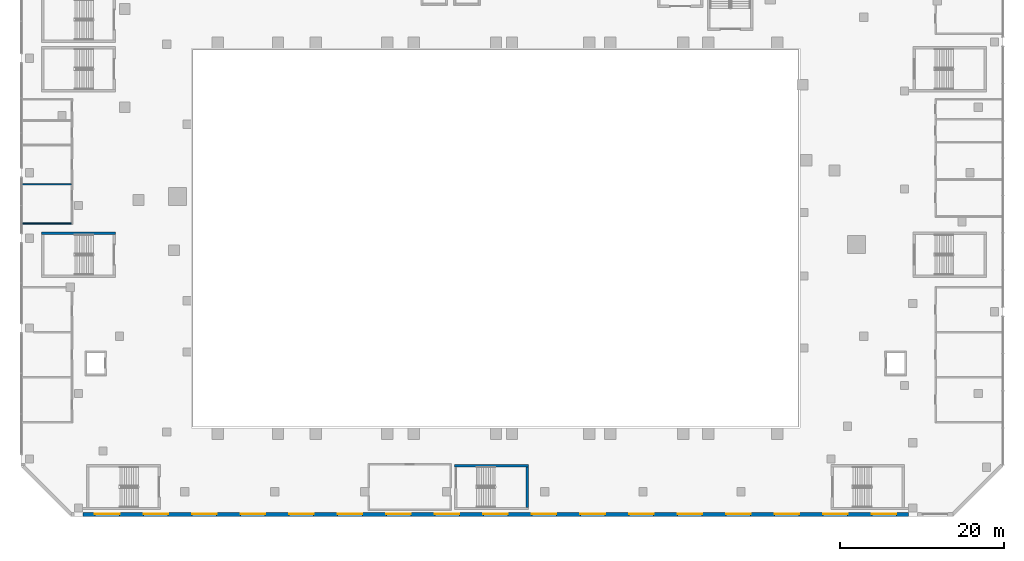
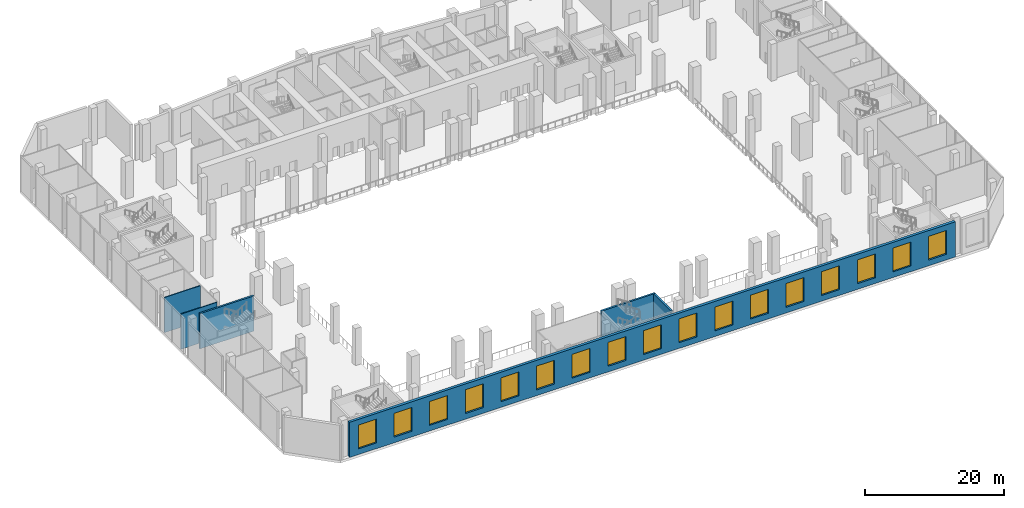
# One storey, part 11 of 30: 17 windows, 6 walls, 17 openings.
"""IFC4 building model written with IfcOpenShell, lengths in metres."""

import ifcopenshell
import ifcopenshell.guid

model = None  # the IFC model being written
_history = None  # IfcOwnerHistory: only IFC2X3 demands one
_inside = {}  # id of a spatial element -> (the spatial element, [elements in it])
_under = {}  # id of a project, library or spatial element -> (it, [spatial elements below it])
_declared = {}  # id of a project -> (the project, [libraries it declares])
_typed = {}  # id of a type object -> (the type object, [elements of that type])
_made_of = {}  # id of a material, layer set ... -> (it, [elements and type objects made of it])


def new_model(schema):
    """Start an empty IFC model of exactly this schema.

    Asked for "IFC4X3", IfcOpenShell would pick the latest addendum, in which some entities
    have other attributes; the version numbers below select the first issue.
    IFC2X3 requires an IfcOwnerHistory on every rooted entity: one is made here for all.
    """
    global model, _history
    if schema == "IFC4X3":
        model = ifcopenshell.file(schema_version=(4, 3, 0, 0))
    else:
        model = ifcopenshell.file(schema=schema)
    _inside.clear()
    _under.clear()
    _declared.clear()
    _typed.clear()
    _made_of.clear()
    _history = None
    if model.schema == "IFC2X3":
        org = make("IfcOrganization", Name="unknown")
        user = make(
            "IfcPersonAndOrganization",
            ThePerson=make("IfcPerson", FamilyName="unknown"),
            TheOrganization=org,
        )
        app = make(
            "IfcApplication",
            ApplicationDeveloper=org,
            Version="unknown",
            ApplicationFullName="unknown",
            ApplicationIdentifier="unknown",
        )
        _history = make(
            "IfcOwnerHistory",
            OwningUser=user,
            OwningApplication=app,
            ChangeAction="ADDED",
            CreationDate=0,
        )
    return model


def make(cls, **values):
    """One entity of the class cls with the attributes given. An attribute that is None is left unset."""
    return model.create_entity(
        cls, **{name: value for name, value in values.items() if value is not None}
    )


def rooted(cls, **values):
    """An entity with a GlobalId (a new one), such as an element, a storey or a relation."""
    return make(cls, GlobalId=ifcopenshell.guid.new(), OwnerHistory=_history, **values)


def si_unit(unit_type, name, prefix=None):
    """IfcSIUnit, for example si_unit("LENGTHUNIT", "METRE", prefix="MILLI")."""
    return make("IfcSIUnit", UnitType=unit_type, Prefix=prefix, Name=name)


def assignment(units):
    """IfcUnitAssignment: the units of a project."""
    return None if units is None else make("IfcUnitAssignment", Units=units)


def point(xyz):
    """IfcCartesianPoint."""
    return None if xyz is None else make("IfcCartesianPoint", Coordinates=xyz)


def direction(xyz):
    """IfcDirection."""
    return None if xyz is None else make("IfcDirection", DirectionRatios=xyz)


def frame(location, z_axis=None, x_axis=None):
    """IfcAxis2Placement3D, a coordinate frame: its origin and axes. An axis left out is left unset."""
    return make(
        "IfcAxis2Placement3D",
        Location=point(location),
        Axis=direction(z_axis),
        RefDirection=direction(x_axis),
    )


def frame_2d(location, x_axis=None):
    """IfcAxis2Placement2D, a coordinate frame in the plane: its origin and x axis."""
    return make(
        "IfcAxis2Placement2D", Location=point(location), RefDirection=direction(x_axis)
    )


def origin():
    """The frame at (0, 0, 0) with its axes left unset."""
    return frame((0.0, 0.0, 0.0))


def place(relative_to, where):
    """IfcLocalPlacement: puts the frame where relative to a parent placement (None: the world)."""
    return make(
        "IfcLocalPlacement", PlacementRelTo=relative_to, RelativePlacement=where
    )


def context(
    kind, dimensions, precision=None, world=None, true_north=None, identifier=None
):
    """IfcGeometricRepresentationContext, for example the 3D "Model" context."""
    return make(
        "IfcGeometricRepresentationContext",
        ContextIdentifier=identifier,
        ContextType=kind,
        CoordinateSpaceDimension=dimensions,
        Precision=precision,
        WorldCoordinateSystem=world,
        TrueNorth=true_north,
    )


def subcontext(parent, identifier, kind, view, scale=None):
    """IfcGeometricRepresentationSubContext, for example "Body" below "Model"."""
    return make(
        "IfcGeometricRepresentationSubContext",
        ContextIdentifier=identifier,
        ContextType=kind,
        ParentContext=parent,
        TargetScale=scale,
        TargetView=view,
    )


def project(units=None, contexts=None):
    """IfcProject with its units and contexts."""
    return rooted(
        "IfcProject",
        Name="project",
        RepresentationContexts=contexts,
        UnitsInContext=assignment(units),
    )


def spatial(cls, under=None, at=None, **own):
    """A site, building, storey or space (cls), placed at a placement, below another one or the project."""
    s = rooted(cls, ObjectPlacement=at, **own)
    if under is not None:
        _under.setdefault(under.id(), (under, []))[1].append(s)
    return s


def profile(cls, at=None, kind="AREA", **sizes):
    """A parametric profile (cls). Its sizes go by their IFC names, for example OverallWidth=200.0."""
    return make(cls, ProfileType=kind, Position=at, **sizes)


def rectangle(**sizes):
    """IfcRectangleProfileDef."""
    return profile("IfcRectangleProfileDef", **sizes)


def extrude(swept, where, along, depth):
    """IfcExtrudedAreaSolid: the profile swept, set in the frame where, extruded along a direction by depth."""
    return make(
        "IfcExtrudedAreaSolid",
        SweptArea=swept,
        Position=where,
        ExtrudedDirection=direction(along),
        Depth=depth,
    )


def shape(context_of_items, identifier, shape_type, items):
    """IfcShapeRepresentation: the items that make up one representation, for example the "Body"."""
    return make(
        "IfcShapeRepresentation",
        ContextOfItems=context_of_items,
        RepresentationIdentifier=identifier,
        RepresentationType=shape_type,
        Items=items,
    )


def material(Name=None, Category=None):
    """IfcMaterial."""
    return make("IfcMaterial", Name=Name, Category=Category)


def layer(
    of_material, thickness, ventilated=None, Name=None, Category=None, Priority=None
):
    """IfcMaterialLayer: one layer of a wall or slab, of a material (None: an air gap)."""
    return make(
        "IfcMaterialLayer",
        Material=of_material,
        LayerThickness=thickness,
        IsVentilated=ventilated,
        Name=Name,
        Category=Category,
        Priority=Priority,
    )


def layer_set(layers, Name=None):
    """IfcMaterialLayerSet."""
    return make("IfcMaterialLayerSet", MaterialLayers=layers, LayerSetName=Name)


def made_of(thing, what):
    """Note that an element or type object is made of a material, layer set ...; save() writes the relation."""
    if what is not None:
        _made_of.setdefault(what.id(), (what, []))[1].append(thing)
    return thing


def type_object(cls, material=None, **own):
    """A type object (cls), such as IfcWallType, which elements share."""
    return made_of(rooted(cls, **own), material)


def element(
    cls,
    number,
    at=None,
    inside=None,
    cuts=None,
    type_object=None,
    material=None,
    context=None,
    identifier="Body",
    shape_type=None,
    held_by="IfcProductDefinitionShape",
    body=None,
    shapes=None,
    **own,
):
    """One element of the class cls, such as IfcWall. Its Tag is "e" and its number.

    at: its placement. inside: the storey or other place that contains it. cuts: it is an
    opening in that element (IfcRelVoidsElement). A single representation is given by context,
    identifier, shape_type and body (its items); several are given by shapes. held_by: the class
    of the entity that holds the representations. save() writes the other relations.
    """
    e = rooted(cls, Tag="e%d" % number, ObjectPlacement=at, **own)
    if body is not None:
        shapes = [shape(context, identifier, shape_type, body)]
    if shapes is not None:
        e.Representation = make(held_by, Representations=shapes)
    if inside is not None:
        _inside.setdefault(inside.id(), (inside, []))[1].append(e)
    if cuts is not None:
        rooted(
            "IfcRelVoidsElement", RelatingBuildingElement=cuts, RelatedOpeningElement=e
        )
    if type_object is not None:
        _typed.setdefault(type_object.id(), (type_object, []))[1].append(e)
    return made_of(e, material)


def fill(opening, filler):
    """IfcRelFillsElement: the door or window that sits in an opening."""
    return rooted(
        "IfcRelFillsElement",
        RelatingOpeningElement=opening,
        RelatedBuildingElement=filler,
    )


def aggregate(whole, parts):
    """IfcRelAggregates: a whole, such as a stair, and the parts it consists of."""
    return rooted("IfcRelAggregates", RelatingObject=whole, RelatedObjects=parts)


def save(model, path):
    """Write the relations noted so far, then the file.

    IfcRelAggregates (storeys below a building ...), IfcRelContainedInSpatialStructure (elements
    in a storey), IfcRelDefinesByType, IfcRelAssociatesMaterial and IfcRelDeclares: one each for
    every whole, place, type object, material and project.
    """
    for whole, parts in _under.values():
        aggregate(whole, parts)
    for where, things in _inside.values():
        rooted(
            "IfcRelContainedInSpatialStructure",
            RelatedElements=things,
            RelatingStructure=where,
        )
    for kind, things in _typed.values():
        rooted("IfcRelDefinesByType", RelatedObjects=things, RelatingType=kind)
    for what, things in _made_of.values():
        rooted("IfcRelAssociatesMaterial", RelatedObjects=things, RelatingMaterial=what)
    for by, libraries in _declared.values():
        rooted("IfcRelDeclares", RelatingContext=by, RelatedDefinitions=libraries)
    model.write(path)


model = new_model("IFC4")

# Units and contexts
model_context = context("Model", 3, precision=1e-05, world=origin(), true_north=direction((0.0, 1.0)))
body_context = subcontext(model_context, "Body", "Model", "MODEL_VIEW")
ifc_project = project(units=[si_unit("LENGTHUNIT", "METRE"), si_unit("AREAUNIT", "SQUARE_METRE"), si_unit("VOLUMEUNIT", "CUBIC_METRE"), si_unit("PLANEANGLEUNIT", "RADIAN"), si_unit("MASSUNIT", "GRAM", prefix="KILO")], contexts=[model_context])

# Site, building, storey
site_placement = place(None, origin())
site = spatial("IfcSite", under=ifc_project, at=site_placement, CompositionType="ELEMENT")
building_placement = place(site_placement, origin())
building = spatial("IfcBuilding", under=site, at=building_placement, Name="Wharfspan Tower", CompositionType="ELEMENT")
storey_placement = place(building_placement, frame((0.0, 0.0, 15.0)))
storey = spatial("IfcBuildingStorey", under=building, at=storey_placement, Name="L02", CompositionType="ELEMENT", Elevation=15.0)

# Walls
ifc_material_1 = material(Name="Calcium silicate masonry", Category="masonry")
ifc_layer_1 = layer(ifc_material_1, 0.149902)
ifc_layer_set_1 = layer_set([ifc_layer_1], Name="Calcium silicate masonry")
wall_type_1 = type_object("IfcWallType", Name="Podium room wall 150", PredefinedType="PARTITIONING", material=ifc_layer_set_1)
for number, where, z_axis, x_axis, name in (
    (1, (-11.89502, 3.800049, 0.0), (0.0, 0.0, 1.0), (1.0, 0.0, 0.0), "iw:L02:12"),
    (2, (-11.89502, 8.600098, 0.0), (0.0, 0.0, 1.0), (1.0, 0.0, 0.0), "iw:L02:13"),
):
    element("IfcWall", number, at=place(storey_placement, frame(where, z_axis=z_axis, x_axis=x_axis)), inside=storey, type_object=wall_type_1, Name=name, PredefinedType="PARTITIONING", context=body_context, shape_type="SweptSolid", body=[
        extrude(rectangle(XDim=6.02002, YDim=0.149902, at=frame_2d((3.01001, 0.0))), origin(), (0.0, 0.0, 1.0), 6.199951),
    ])
ifc_material_2 = material(Name="Concrete C40/50", Category="concrete")
ifc_layer_2 = layer(ifc_material_2, 0.300049)
ifc_layer_set_2 = layer_set([ifc_layer_2], Name="Concrete C40/50")
wall_type_2 = type_object("IfcWallType", Name="Podium stair core wall 300", PredefinedType="SHEAR", material=ifc_layer_set_2)
wall_1_placement = place(storey_placement, frame((41.0, -25.800049, 0.0), z_axis=(0.0, 0.0, 1.0), x_axis=(1.0, 0.0, 0.0)))
element("IfcWall", 3, at=wall_1_placement, inside=storey, type_object=wall_type_2, Name="iw:L02:AS5N", PredefinedType="SHEAR", context=body_context, shape_type="SweptSolid", body=[
    extrude(rectangle(XDim=9.0, YDim=0.300049, at=frame_2d((4.5, 0.0))), origin(), (0.0, 0.0, 1.0), 6.199951),
])
wall_2_placement = place(storey_placement, frame((49.850098, -30.899902, 0.0), z_axis=(0.0, 0.0, 1.0), x_axis=(0.0, 1.0, 0.0)))
element("IfcWall", 4, at=wall_2_placement, inside=storey, type_object=wall_type_2, Name="iw:L02:AS5E", PredefinedType="SHEAR", context=body_context, shape_type="SweptSolid", body=[
    extrude(rectangle(XDim=4.949951, YDim=0.300049, at=frame_2d((2.475098, 0.0))), origin(), (0.0, 0.0, 1.0), 6.199951),
])
wall_3_placement = place(storey_placement, frame((-9.5, 2.600098, 0.0), z_axis=(0.0, 0.0, 1.0), x_axis=(1.0, 0.0, 0.0)))
element("IfcWall", 5, at=wall_3_placement, inside=storey, type_object=wall_type_2, Name="iw:L02:AS7N", PredefinedType="SHEAR", context=body_context, shape_type="SweptSolid", body=[
    extrude(rectangle(XDim=9.0, YDim=0.300049, at=frame_2d((4.5, 0.0))), origin(), (0.0, 0.0, 1.0), 6.199951),
])

# Wall, openings, windows
ifc_layer_3 = layer(ifc_material_2, 0.449951)
ifc_layer_set_3 = layer_set([ifc_layer_3], Name="Concrete C40/50")
wall_type_3 = type_object("IfcWallType", Name="WALL BOARD-MARKED CONCRETE 450", PredefinedType="SOLIDWALL", material=ifc_layer_set_3)
wall_4_placement = place(storey_placement, frame((-4.449951, -31.774902, 0.0), z_axis=(0.0, 0.0, 1.0), x_axis=(1.0, 0.0, 0.0)))
wall_4 = element("IfcWall", 6, at=wall_4_placement, inside=storey, type_object=wall_type_3, Name="Podium wall PF1", PredefinedType="SOLIDWALL", context=body_context, shape_type="SweptSolid", body=[
    extrude(rectangle(XDim=100.899902, YDim=0.449951, at=frame_2d((50.449951, 0.0))), origin(), (0.0, 0.0, 1.0), 6.199951),
])
opening_1_placement = place(wall_4_placement, frame((1.467529, 0.0, 1.0)))
opening_1 = element("IfcOpeningElement", 7, at=opening_1_placement, cuts=wall_4, Name="Opening EWN2", PredefinedType="OPENING", context=body_context, shape_type="SweptSolid", body=[
    extrude(rectangle(XDim=3.0, YDim=4.199951, at=frame_2d((1.5, 2.100098))), frame((0.0, 0.234863, 0.0), z_axis=(0.0, -1.0, 0.0), x_axis=(1.0, 0.0, 0.0)), (0.0, 0.0, 1.0), 0.469971),
])
opening_2_placement = place(wall_4_placement, frame((7.402832, 0.0, 1.0)))
opening_2 = element("IfcOpeningElement", 8, at=opening_2_placement, cuts=wall_4, Name="Opening EWN2", PredefinedType="OPENING", context=body_context, shape_type="SweptSolid", body=[
    extrude(rectangle(XDim=3.0, YDim=4.199951, at=frame_2d((1.5, 2.100098))), frame((0.0, 0.234863, 0.0), z_axis=(0.0, -1.0, 0.0), x_axis=(1.0, 0.0, 0.0)), (0.0, 0.0, 1.0), 0.469971),
])
opening_3_placement = place(wall_4_placement, frame((13.338135, 0.0, 1.0)))
opening_3 = element("IfcOpeningElement", 9, at=opening_3_placement, cuts=wall_4, Name="Opening EWN2", PredefinedType="OPENING", context=body_context, shape_type="SweptSolid", body=[
    extrude(rectangle(XDim=3.0, YDim=4.199951, at=frame_2d((1.5, 2.100098))), frame((0.0, 0.234863, 0.0), z_axis=(0.0, -1.0, 0.0), x_axis=(1.0, 0.0, 0.0)), (0.0, 0.0, 1.0), 0.469971),
])
opening_4_placement = place(wall_4_placement, frame((19.273438, 0.0, 1.0)))
opening_4 = element("IfcOpeningElement", 10, at=opening_4_placement, cuts=wall_4, Name="Opening EWN2", PredefinedType="OPENING", context=body_context, shape_type="SweptSolid", body=[
    extrude(rectangle(XDim=3.0, YDim=4.199951, at=frame_2d((1.5, 2.100098))), frame((0.0, 0.234863, 0.0), z_axis=(0.0, -1.0, 0.0), x_axis=(1.0, 0.0, 0.0)), (0.0, 0.0, 1.0), 0.469971),
])
opening_5_placement = place(wall_4_placement, frame((25.20874, 0.0, 1.0)))
opening_5 = element("IfcOpeningElement", 11, at=opening_5_placement, cuts=wall_4, Name="Opening EWN2", PredefinedType="OPENING", context=body_context, shape_type="SweptSolid", body=[
    extrude(rectangle(XDim=3.0, YDim=4.199951, at=frame_2d((1.5, 2.100098))), frame((0.0, 0.234863, 0.0), z_axis=(0.0, -1.0, 0.0), x_axis=(1.0, 0.0, 0.0)), (0.0, 0.0, 1.0), 0.469971),
])
opening_6_placement = place(wall_4_placement, frame((31.144043, 0.0, 1.0)))
opening_6 = element("IfcOpeningElement", 12, at=opening_6_placement, cuts=wall_4, Name="Opening EWN2", PredefinedType="OPENING", context=body_context, shape_type="SweptSolid", body=[
    extrude(rectangle(XDim=3.0, YDim=4.199951, at=frame_2d((1.5, 2.100098))), frame((0.0, 0.234863, 0.0), z_axis=(0.0, -1.0, 0.0), x_axis=(1.0, 0.0, 0.0)), (0.0, 0.0, 1.0), 0.469971),
])
opening_7_placement = place(wall_4_placement, frame((37.079346, 0.0, 1.0)))
opening_7 = element("IfcOpeningElement", 13, at=opening_7_placement, cuts=wall_4, Name="Opening EWN2", PredefinedType="OPENING", context=body_context, shape_type="SweptSolid", body=[
    extrude(rectangle(XDim=3.0, YDim=4.199951, at=frame_2d((1.5, 2.100098))), frame((0.0, 0.234863, 0.0), z_axis=(0.0, -1.0, 0.0), x_axis=(1.0, 0.0, 0.0)), (0.0, 0.0, 1.0), 0.469971),
])
opening_8_placement = place(wall_4_placement, frame((43.014648, 0.0, 1.0)))
opening_8 = element("IfcOpeningElement", 14, at=opening_8_placement, cuts=wall_4, Name="Opening EWN2", PredefinedType="OPENING", context=body_context, shape_type="SweptSolid", body=[
    extrude(rectangle(XDim=3.0, YDim=4.199951, at=frame_2d((1.5, 2.100098))), frame((0.0, 0.234863, 0.0), z_axis=(0.0, -1.0, 0.0), x_axis=(1.0, 0.0, 0.0)), (0.0, 0.0, 1.0), 0.469971),
])
opening_9_placement = place(wall_4_placement, frame((48.949951, 0.0, 1.0)))
opening_9 = element("IfcOpeningElement", 15, at=opening_9_placement, cuts=wall_4, Name="Opening EWN2", PredefinedType="OPENING", context=body_context, shape_type="SweptSolid", body=[
    extrude(rectangle(XDim=3.0, YDim=4.199951, at=frame_2d((1.5, 2.100098))), frame((0.0, 0.234863, 0.0), z_axis=(0.0, -1.0, 0.0), x_axis=(1.0, 0.0, 0.0)), (0.0, 0.0, 1.0), 0.469971),
])
opening_10_placement = place(wall_4_placement, frame((54.885254, 0.0, 1.0)))
opening_10 = element("IfcOpeningElement", 16, at=opening_10_placement, cuts=wall_4, Name="Opening EWN2", PredefinedType="OPENING", context=body_context, shape_type="SweptSolid", body=[
    extrude(rectangle(XDim=3.0, YDim=4.199951, at=frame_2d((1.5, 2.100098))), frame((0.0, 0.234863, 0.0), z_axis=(0.0, -1.0, 0.0), x_axis=(1.0, 0.0, 0.0)), (0.0, 0.0, 1.0), 0.469971),
])
opening_11_placement = place(wall_4_placement, frame((60.820557, 0.0, 1.0)))
opening_11 = element("IfcOpeningElement", 17, at=opening_11_placement, cuts=wall_4, Name="Opening EWN2", PredefinedType="OPENING", context=body_context, shape_type="SweptSolid", body=[
    extrude(rectangle(XDim=3.0, YDim=4.199951, at=frame_2d((1.5, 2.100098))), frame((0.0, 0.234863, 0.0), z_axis=(0.0, -1.0, 0.0), x_axis=(1.0, 0.0, 0.0)), (0.0, 0.0, 1.0), 0.469971),
])
opening_12_placement = place(wall_4_placement, frame((66.755859, 0.0, 1.0)))
opening_12 = element("IfcOpeningElement", 18, at=opening_12_placement, cuts=wall_4, Name="Opening EWN2", PredefinedType="OPENING", context=body_context, shape_type="SweptSolid", body=[
    extrude(rectangle(XDim=3.0, YDim=4.199951, at=frame_2d((1.5, 2.100098))), frame((0.0, 0.234863, 0.0), z_axis=(0.0, -1.0, 0.0), x_axis=(1.0, 0.0, 0.0)), (0.0, 0.0, 1.0), 0.469971),
])
opening_13_placement = place(wall_4_placement, frame((72.691162, 0.0, 1.0)))
opening_13 = element("IfcOpeningElement", 19, at=opening_13_placement, cuts=wall_4, Name="Opening EWN2", PredefinedType="OPENING", context=body_context, shape_type="SweptSolid", body=[
    extrude(rectangle(XDim=3.0, YDim=4.199951, at=frame_2d((1.5, 2.100098))), frame((0.0, 0.234863, 0.0), z_axis=(0.0, -1.0, 0.0), x_axis=(1.0, 0.0, 0.0)), (0.0, 0.0, 1.0), 0.469971),
])
opening_14_placement = place(wall_4_placement, frame((78.626465, 0.0, 1.0)))
opening_14 = element("IfcOpeningElement", 20, at=opening_14_placement, cuts=wall_4, Name="Opening EWN2", PredefinedType="OPENING", context=body_context, shape_type="SweptSolid", body=[
    extrude(rectangle(XDim=3.0, YDim=4.199951, at=frame_2d((1.5, 2.100098))), frame((0.0, 0.234863, 0.0), z_axis=(0.0, -1.0, 0.0), x_axis=(1.0, 0.0, 0.0)), (0.0, 0.0, 1.0), 0.469971),
])
opening_15_placement = place(wall_4_placement, frame((84.561768, 0.0, 1.0)))
opening_15 = element("IfcOpeningElement", 21, at=opening_15_placement, cuts=wall_4, Name="Opening EWN2", PredefinedType="OPENING", context=body_context, shape_type="SweptSolid", body=[
    extrude(rectangle(XDim=3.0, YDim=4.199951, at=frame_2d((1.5, 2.100098))), frame((0.0, 0.234863, 0.0), z_axis=(0.0, -1.0, 0.0), x_axis=(1.0, 0.0, 0.0)), (0.0, 0.0, 1.0), 0.469971),
])
opening_16_placement = place(wall_4_placement, frame((90.49707, 0.0, 1.0)))
opening_16 = element("IfcOpeningElement", 22, at=opening_16_placement, cuts=wall_4, Name="Opening EWN2", PredefinedType="OPENING", context=body_context, shape_type="SweptSolid", body=[
    extrude(rectangle(XDim=3.0, YDim=4.199951, at=frame_2d((1.5, 2.100098))), frame((0.0, 0.234863, 0.0), z_axis=(0.0, -1.0, 0.0), x_axis=(1.0, 0.0, 0.0)), (0.0, 0.0, 1.0), 0.469971),
])
opening_17_placement = place(wall_4_placement, frame((96.432373, 0.0, 1.0)))
opening_17 = element("IfcOpeningElement", 23, at=opening_17_placement, cuts=wall_4, Name="Opening EWN2", PredefinedType="OPENING", context=body_context, shape_type="SweptSolid", body=[
    extrude(rectangle(XDim=3.0, YDim=4.199951, at=frame_2d((1.5, 2.100098))), frame((0.0, 0.234863, 0.0), z_axis=(0.0, -1.0, 0.0), x_axis=(1.0, 0.0, 0.0)), (0.0, 0.0, 1.0), 0.469971),
])
ifc_material_3 = material(Name="Aluminium 6063-T6", Category="aluminium")
window_type = type_object("IfcWindowType", Name="WINDOW 3000x4200", PartitioningType="SINGLE_PANEL", PredefinedType="WINDOW", material=ifc_material_3)
window_1_placement = place(opening_1_placement, origin())
window_1 = element("IfcWindow", 24, at=window_1_placement, inside=storey, type_object=window_type, Name="Podium window", OverallHeight=4.199951, OverallWidth=3.0, PartitioningType="SINGLE_PANEL", PredefinedType="WINDOW", context=body_context, shape_type="SweptSolid", body=[
    extrude(rectangle(XDim=3.0, YDim=4.199951, at=frame_2d((1.5, 2.100098))), frame((0.0, 0.10498, 0.0), z_axis=(0.0, -1.0, 0.0), x_axis=(1.0, 0.0, 0.0)), (0.0, 0.0, 1.0), 0.060059),
])
fill(opening_1, window_1)
window_2_placement = place(opening_2_placement, origin())
window_2 = element("IfcWindow", 25, at=window_2_placement, inside=storey, type_object=window_type, Name="Podium window", OverallHeight=4.199951, OverallWidth=3.0, PartitioningType="SINGLE_PANEL", PredefinedType="WINDOW", context=body_context, shape_type="SweptSolid", body=[
    extrude(rectangle(XDim=3.0, YDim=4.199951, at=frame_2d((1.5, 2.100098))), frame((0.0, 0.10498, 0.0), z_axis=(0.0, -1.0, 0.0), x_axis=(1.0, 0.0, 0.0)), (0.0, 0.0, 1.0), 0.060059),
])
fill(opening_2, window_2)
window_3_placement = place(opening_3_placement, origin())
window_3 = element("IfcWindow", 26, at=window_3_placement, inside=storey, type_object=window_type, Name="Podium window", OverallHeight=4.199951, OverallWidth=3.0, PartitioningType="SINGLE_PANEL", PredefinedType="WINDOW", context=body_context, shape_type="SweptSolid", body=[
    extrude(rectangle(XDim=3.0, YDim=4.199951, at=frame_2d((1.5, 2.100098))), frame((0.0, 0.10498, 0.0), z_axis=(0.0, -1.0, 0.0), x_axis=(1.0, 0.0, 0.0)), (0.0, 0.0, 1.0), 0.060059),
])
fill(opening_3, window_3)
window_4_placement = place(opening_4_placement, origin())
window_4 = element("IfcWindow", 27, at=window_4_placement, inside=storey, type_object=window_type, Name="Podium window", OverallHeight=4.199951, OverallWidth=3.0, PartitioningType="SINGLE_PANEL", PredefinedType="WINDOW", context=body_context, shape_type="SweptSolid", body=[
    extrude(rectangle(XDim=3.0, YDim=4.199951, at=frame_2d((1.5, 2.100098))), frame((0.0, 0.10498, 0.0), z_axis=(0.0, -1.0, 0.0), x_axis=(1.0, 0.0, 0.0)), (0.0, 0.0, 1.0), 0.060059),
])
fill(opening_4, window_4)
window_5_placement = place(opening_5_placement, origin())
window_5 = element("IfcWindow", 28, at=window_5_placement, inside=storey, type_object=window_type, Name="Podium window", OverallHeight=4.199951, OverallWidth=3.0, PartitioningType="SINGLE_PANEL", PredefinedType="WINDOW", context=body_context, shape_type="SweptSolid", body=[
    extrude(rectangle(XDim=3.0, YDim=4.199951, at=frame_2d((1.5, 2.100098))), frame((0.0, 0.10498, 0.0), z_axis=(0.0, -1.0, 0.0), x_axis=(1.0, 0.0, 0.0)), (0.0, 0.0, 1.0), 0.060059),
])
fill(opening_5, window_5)
window_6_placement = place(opening_6_placement, origin())
window_6 = element("IfcWindow", 29, at=window_6_placement, inside=storey, type_object=window_type, Name="Podium window", OverallHeight=4.199951, OverallWidth=3.0, PartitioningType="SINGLE_PANEL", PredefinedType="WINDOW", context=body_context, shape_type="SweptSolid", body=[
    extrude(rectangle(XDim=3.0, YDim=4.199951, at=frame_2d((1.5, 2.100098))), frame((0.0, 0.10498, 0.0), z_axis=(0.0, -1.0, 0.0), x_axis=(1.0, 0.0, 0.0)), (0.0, 0.0, 1.0), 0.060059),
])
fill(opening_6, window_6)
window_7_placement = place(opening_7_placement, origin())
window_7 = element("IfcWindow", 30, at=window_7_placement, inside=storey, type_object=window_type, Name="Podium window", OverallHeight=4.199951, OverallWidth=3.0, PartitioningType="SINGLE_PANEL", PredefinedType="WINDOW", context=body_context, shape_type="SweptSolid", body=[
    extrude(rectangle(XDim=3.0, YDim=4.199951, at=frame_2d((1.5, 2.100098))), frame((0.0, 0.10498, 0.0), z_axis=(0.0, -1.0, 0.0), x_axis=(1.0, 0.0, 0.0)), (0.0, 0.0, 1.0), 0.060059),
])
fill(opening_7, window_7)
window_8_placement = place(opening_8_placement, origin())
window_8 = element("IfcWindow", 31, at=window_8_placement, inside=storey, type_object=window_type, Name="Podium window", OverallHeight=4.199951, OverallWidth=3.0, PartitioningType="SINGLE_PANEL", PredefinedType="WINDOW", context=body_context, shape_type="SweptSolid", body=[
    extrude(rectangle(XDim=3.0, YDim=4.199951, at=frame_2d((1.5, 2.100098))), frame((0.0, 0.10498, 0.0), z_axis=(0.0, -1.0, 0.0), x_axis=(1.0, 0.0, 0.0)), (0.0, 0.0, 1.0), 0.060059),
])
fill(opening_8, window_8)
window_9_placement = place(opening_9_placement, origin())
window_9 = element("IfcWindow", 32, at=window_9_placement, inside=storey, type_object=window_type, Name="Podium window", OverallHeight=4.199951, OverallWidth=3.0, PartitioningType="SINGLE_PANEL", PredefinedType="WINDOW", context=body_context, shape_type="SweptSolid", body=[
    extrude(rectangle(XDim=3.0, YDim=4.199951, at=frame_2d((1.5, 2.100098))), frame((0.0, 0.10498, 0.0), z_axis=(0.0, -1.0, 0.0), x_axis=(1.0, 0.0, 0.0)), (0.0, 0.0, 1.0), 0.060059),
])
fill(opening_9, window_9)
window_10_placement = place(opening_10_placement, origin())
window_10 = element("IfcWindow", 33, at=window_10_placement, inside=storey, type_object=window_type, Name="Podium window", OverallHeight=4.199951, OverallWidth=3.0, PartitioningType="SINGLE_PANEL", PredefinedType="WINDOW", context=body_context, shape_type="SweptSolid", body=[
    extrude(rectangle(XDim=3.0, YDim=4.199951, at=frame_2d((1.5, 2.100098))), frame((0.0, 0.10498, 0.0), z_axis=(0.0, -1.0, 0.0), x_axis=(1.0, 0.0, 0.0)), (0.0, 0.0, 1.0), 0.060059),
])
fill(opening_10, window_10)
window_11_placement = place(opening_11_placement, origin())
window_11 = element("IfcWindow", 34, at=window_11_placement, inside=storey, type_object=window_type, Name="Podium window", OverallHeight=4.199951, OverallWidth=3.0, PartitioningType="SINGLE_PANEL", PredefinedType="WINDOW", context=body_context, shape_type="SweptSolid", body=[
    extrude(rectangle(XDim=3.0, YDim=4.199951, at=frame_2d((1.5, 2.100098))), frame((0.0, 0.10498, 0.0), z_axis=(0.0, -1.0, 0.0), x_axis=(1.0, 0.0, 0.0)), (0.0, 0.0, 1.0), 0.060059),
])
fill(opening_11, window_11)
window_12_placement = place(opening_12_placement, origin())
window_12 = element("IfcWindow", 35, at=window_12_placement, inside=storey, type_object=window_type, Name="Podium window", OverallHeight=4.199951, OverallWidth=3.0, PartitioningType="SINGLE_PANEL", PredefinedType="WINDOW", context=body_context, shape_type="SweptSolid", body=[
    extrude(rectangle(XDim=3.0, YDim=4.199951, at=frame_2d((1.5, 2.100098))), frame((0.0, 0.10498, 0.0), z_axis=(0.0, -1.0, 0.0), x_axis=(1.0, 0.0, 0.0)), (0.0, 0.0, 1.0), 0.060059),
])
fill(opening_12, window_12)
window_13_placement = place(opening_13_placement, origin())
window_13 = element("IfcWindow", 36, at=window_13_placement, inside=storey, type_object=window_type, Name="Podium window", OverallHeight=4.199951, OverallWidth=3.0, PartitioningType="SINGLE_PANEL", PredefinedType="WINDOW", context=body_context, shape_type="SweptSolid", body=[
    extrude(rectangle(XDim=3.0, YDim=4.199951, at=frame_2d((1.5, 2.100098))), frame((0.0, 0.10498, 0.0), z_axis=(0.0, -1.0, 0.0), x_axis=(1.0, 0.0, 0.0)), (0.0, 0.0, 1.0), 0.060059),
])
fill(opening_13, window_13)
window_14_placement = place(opening_14_placement, origin())
window_14 = element("IfcWindow", 37, at=window_14_placement, inside=storey, type_object=window_type, Name="Podium window", OverallHeight=4.199951, OverallWidth=3.0, PartitioningType="SINGLE_PANEL", PredefinedType="WINDOW", context=body_context, shape_type="SweptSolid", body=[
    extrude(rectangle(XDim=3.0, YDim=4.199951, at=frame_2d((1.5, 2.100098))), frame((0.0, 0.10498, 0.0), z_axis=(0.0, -1.0, 0.0), x_axis=(1.0, 0.0, 0.0)), (0.0, 0.0, 1.0), 0.060059),
])
fill(opening_14, window_14)
window_15_placement = place(opening_15_placement, origin())
window_15 = element("IfcWindow", 38, at=window_15_placement, inside=storey, type_object=window_type, Name="Podium window", OverallHeight=4.199951, OverallWidth=3.0, PartitioningType="SINGLE_PANEL", PredefinedType="WINDOW", context=body_context, shape_type="SweptSolid", body=[
    extrude(rectangle(XDim=3.0, YDim=4.199951, at=frame_2d((1.5, 2.100098))), frame((0.0, 0.10498, 0.0), z_axis=(0.0, -1.0, 0.0), x_axis=(1.0, 0.0, 0.0)), (0.0, 0.0, 1.0), 0.060059),
])
fill(opening_15, window_15)
window_16_placement = place(opening_16_placement, origin())
window_16 = element("IfcWindow", 39, at=window_16_placement, inside=storey, type_object=window_type, Name="Podium window", OverallHeight=4.199951, OverallWidth=3.0, PartitioningType="SINGLE_PANEL", PredefinedType="WINDOW", context=body_context, shape_type="SweptSolid", body=[
    extrude(rectangle(XDim=3.0, YDim=4.199951, at=frame_2d((1.5, 2.100098))), frame((0.0, 0.10498, 0.0), z_axis=(0.0, -1.0, 0.0), x_axis=(1.0, 0.0, 0.0)), (0.0, 0.0, 1.0), 0.060059),
])
fill(opening_16, window_16)
window_17_placement = place(opening_17_placement, origin())
window_17 = element("IfcWindow", 40, at=window_17_placement, inside=storey, type_object=window_type, Name="Podium window", OverallHeight=4.199951, OverallWidth=3.0, PartitioningType="SINGLE_PANEL", PredefinedType="WINDOW", context=body_context, shape_type="SweptSolid", body=[
    extrude(rectangle(XDim=3.0, YDim=4.199951, at=frame_2d((1.5, 2.100098))), frame((0.0, 0.10498, 0.0), z_axis=(0.0, -1.0, 0.0), x_axis=(1.0, 0.0, 0.0)), (0.0, 0.0, 1.0), 0.060059),
])
fill(opening_17, window_17)

save(model, "model.ifc")
